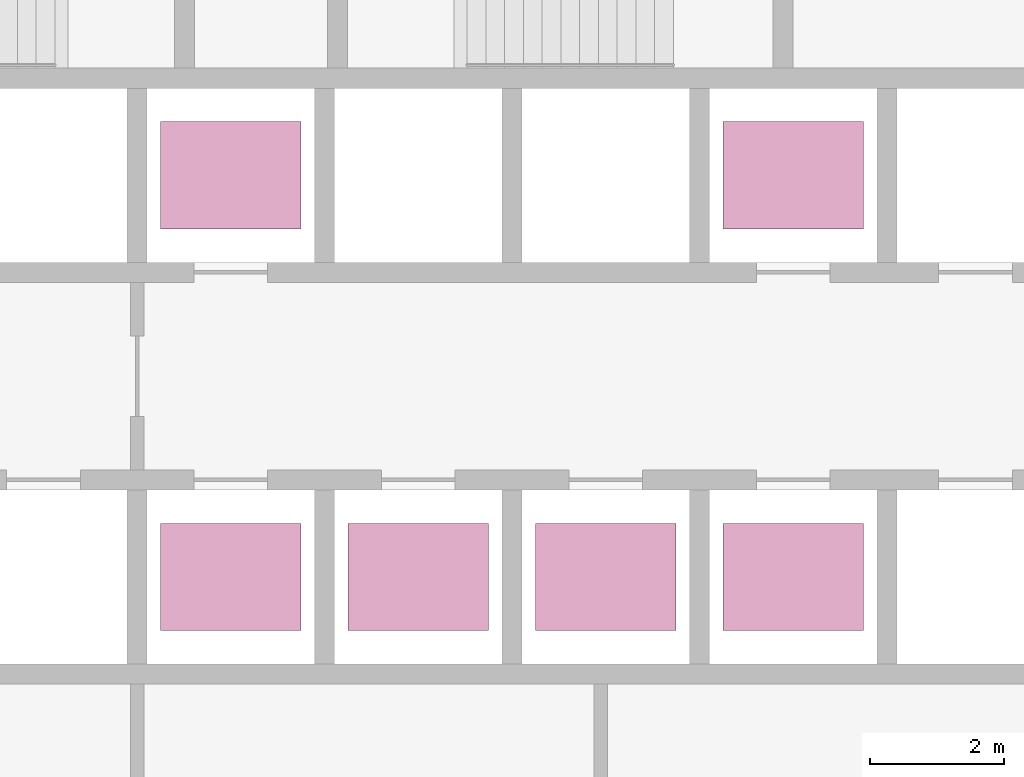
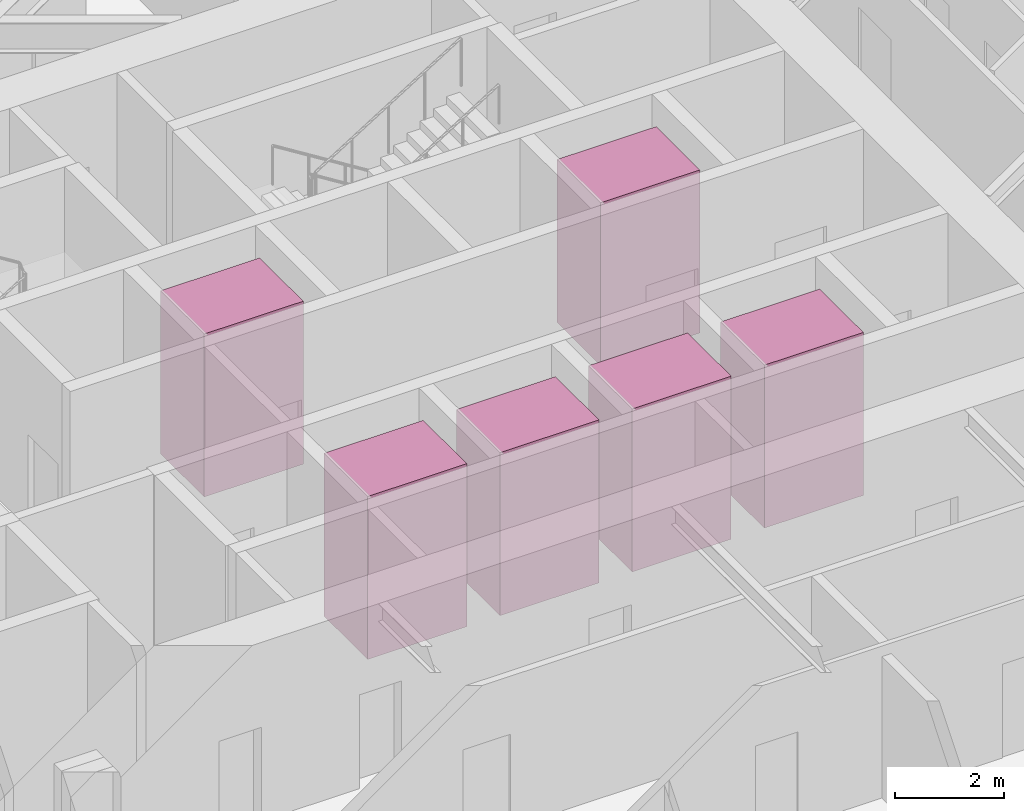
# One storey, part 24 of 25: 6 transport elements.
"""IFC4 building model written with IfcOpenShell, lengths in metres."""

from ifc_helpers import new_model, si_unit, direction, frame, origin, origin_2d, place, context, subcontext, project, spatial, rectangle, extrude, material, type_object, element, save


model = new_model("IFC4")

# Units and contexts
model_context = context("Model", 3, precision=1e-05, world=origin(), true_north=direction((0.0, 1.0)))
body_context = subcontext(model_context, "Body", "Model", "MODEL_VIEW")
ifc_project = project(units=[si_unit("LENGTHUNIT", "METRE"), si_unit("AREAUNIT", "SQUARE_METRE"), si_unit("VOLUMEUNIT", "CUBIC_METRE"), si_unit("PLANEANGLEUNIT", "RADIAN"), si_unit("MASSUNIT", "GRAM", prefix="KILO")], contexts=[model_context])

# Site, building, storey
site_placement = place(None, origin())
site = spatial("IfcSite", under=ifc_project, at=site_placement, CompositionType="ELEMENT")
building_placement = place(site_placement, origin())
building = spatial("IfcBuilding", under=site, at=building_placement, Name="Firuza Gate Tower and Library", CompositionType="ELEMENT")
storey_placement = place(building_placement, frame((0.0, 0.0, 119.800048828125)))
storey = spatial("IfcBuildingStorey", under=building, at=storey_placement, Name="L27", CompositionType="ELEMENT", Elevation=119.800048828125)

# Transport elements
ifc_material = material(Name="Stainless steel and glass", Category="steel")
transport_element_type = type_object("IfcTransportElementType", Name="Low-rise lift car 2100x1600", PredefinedType="ELEVATOR", material=ifc_material)
for number, where, z_axis, x_axis, name in (
    (1, (74.64990234375, 70.300048828125, 0.0), (0.0, 0.0, 1.0), (1.0, 0.0, 0.0), "Low-rise lift LR1"),
    (2, (77.449951171875, 70.300048828125, 0.0), (0.0, 0.0, 1.0), (1.0, 0.0, 0.0), "Low-rise lift LR2"),
    (3, (80.25, 70.300048828125, 0.0), (0.0, 0.0, 1.0), (1.0, 0.0, 0.0), "Low-rise lift LR3"),
    (4, (74.64990234375, 76.300048828125, 0.0), (0.0, 0.0, 1.0), (1.0, 0.0, 0.0), "Low-rise lift LR4"),
    (5, (83.050048828125, 70.300048828125, 0.0), (0.0, 0.0, 1.0), (1.0, 0.0, 0.0), "Low-rise lift LR5"),
    (6, (83.050048828125, 76.300048828125, 0.0), (0.0, 0.0, 1.0), (1.0, 0.0, 0.0), "Low-rise lift LR6"),
):
    element("IfcTransportElement", number, at=place(storey_placement, frame(where, z_axis=z_axis, x_axis=x_axis)), inside=storey, type_object=transport_element_type, Name=name, PredefinedType="ELEVATOR", context=body_context, shape_type="SweptSolid", body=[
        extrude(rectangle(XDim=2.10009765625, YDim=1.60009765625, at=origin_2d()), origin(), (0.0, 0.0, 1.0), 3.64990234375),
    ])

save(model, "model.ifc")
